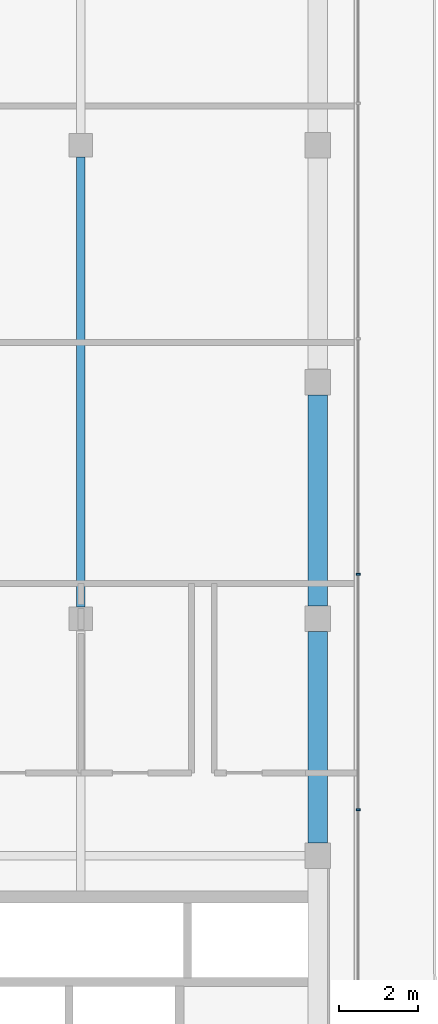
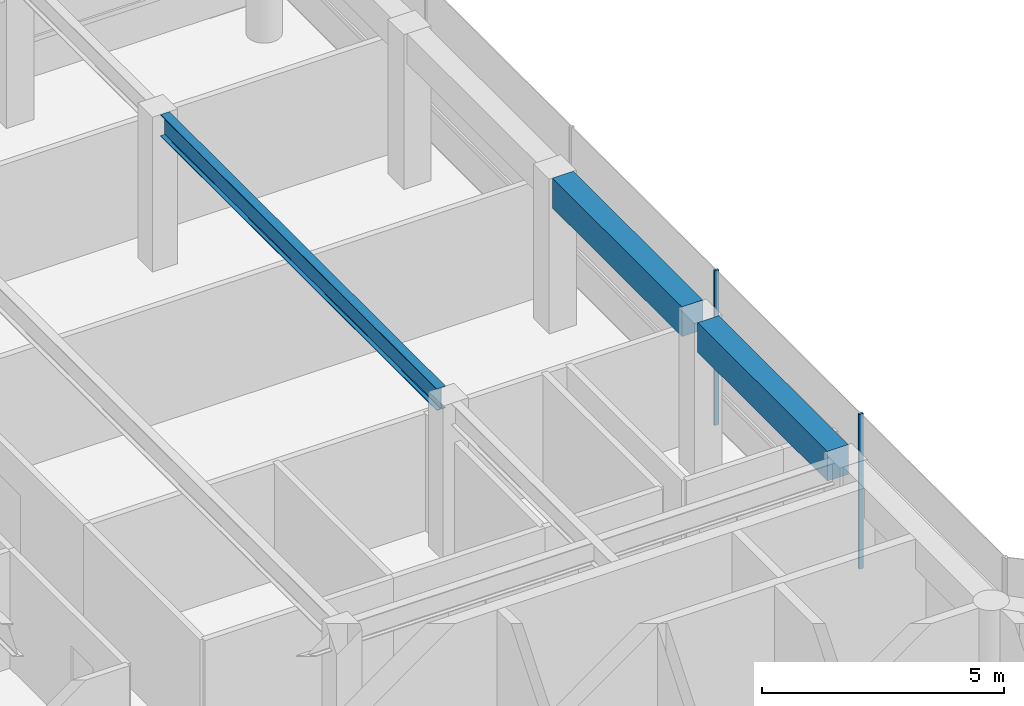
# One storey, part 10 of 22: 3 beams, 2 members, 1 element without a shape of its own.
"""IFC4 building model written with IfcOpenShell, lengths in metres."""

import ifcopenshell
import ifcopenshell.guid

model = None  # the IFC model being written
_history = None  # IfcOwnerHistory: only IFC2X3 demands one
_inside = {}  # id of a spatial element -> (the spatial element, [elements in it])
_under = {}  # id of a project, library or spatial element -> (it, [spatial elements below it])
_declared = {}  # id of a project -> (the project, [libraries it declares])
_typed = {}  # id of a type object -> (the type object, [elements of that type])
_made_of = {}  # id of a material, layer set ... -> (it, [elements and type objects made of it])


def new_model(schema):
    """Start an empty IFC model of exactly this schema.

    Asked for "IFC4X3", IfcOpenShell would pick the latest addendum, in which some entities
    have other attributes; the version numbers below select the first issue.
    IFC2X3 requires an IfcOwnerHistory on every rooted entity: one is made here for all.
    """
    global model, _history
    if schema == "IFC4X3":
        model = ifcopenshell.file(schema_version=(4, 3, 0, 0))
    else:
        model = ifcopenshell.file(schema=schema)
    _inside.clear()
    _under.clear()
    _declared.clear()
    _typed.clear()
    _made_of.clear()
    _history = None
    if model.schema == "IFC2X3":
        org = make("IfcOrganization", Name="unknown")
        user = make(
            "IfcPersonAndOrganization",
            ThePerson=make("IfcPerson", FamilyName="unknown"),
            TheOrganization=org,
        )
        app = make(
            "IfcApplication",
            ApplicationDeveloper=org,
            Version="unknown",
            ApplicationFullName="unknown",
            ApplicationIdentifier="unknown",
        )
        _history = make(
            "IfcOwnerHistory",
            OwningUser=user,
            OwningApplication=app,
            ChangeAction="ADDED",
            CreationDate=0,
        )
    return model


def make(cls, **values):
    """One entity of the class cls with the attributes given. An attribute that is None is left unset."""
    return model.create_entity(
        cls, **{name: value for name, value in values.items() if value is not None}
    )


def rooted(cls, **values):
    """An entity with a GlobalId (a new one), such as an element, a storey or a relation."""
    return make(cls, GlobalId=ifcopenshell.guid.new(), OwnerHistory=_history, **values)


def si_unit(unit_type, name, prefix=None):
    """IfcSIUnit, for example si_unit("LENGTHUNIT", "METRE", prefix="MILLI")."""
    return make("IfcSIUnit", UnitType=unit_type, Prefix=prefix, Name=name)


def assignment(units):
    """IfcUnitAssignment: the units of a project."""
    return None if units is None else make("IfcUnitAssignment", Units=units)


def point(xyz):
    """IfcCartesianPoint."""
    return None if xyz is None else make("IfcCartesianPoint", Coordinates=xyz)


def direction(xyz):
    """IfcDirection."""
    return None if xyz is None else make("IfcDirection", DirectionRatios=xyz)


def frame(location, z_axis=None, x_axis=None):
    """IfcAxis2Placement3D, a coordinate frame: its origin and axes. An axis left out is left unset."""
    return make(
        "IfcAxis2Placement3D",
        Location=point(location),
        Axis=direction(z_axis),
        RefDirection=direction(x_axis),
    )


def frame_2d(location, x_axis=None):
    """IfcAxis2Placement2D, a coordinate frame in the plane: its origin and x axis."""
    return make(
        "IfcAxis2Placement2D", Location=point(location), RefDirection=direction(x_axis)
    )


def origin():
    """The frame at (0, 0, 0) with its axes left unset."""
    return frame((0.0, 0.0, 0.0))


def origin_2d():
    """The frame at (0, 0) in the plane with its x axis left unset."""
    return frame_2d((0.0, 0.0))


def place(relative_to, where):
    """IfcLocalPlacement: puts the frame where relative to a parent placement (None: the world)."""
    return make(
        "IfcLocalPlacement", PlacementRelTo=relative_to, RelativePlacement=where
    )


def context(
    kind, dimensions, precision=None, world=None, true_north=None, identifier=None
):
    """IfcGeometricRepresentationContext, for example the 3D "Model" context."""
    return make(
        "IfcGeometricRepresentationContext",
        ContextIdentifier=identifier,
        ContextType=kind,
        CoordinateSpaceDimension=dimensions,
        Precision=precision,
        WorldCoordinateSystem=world,
        TrueNorth=true_north,
    )


def subcontext(parent, identifier, kind, view, scale=None):
    """IfcGeometricRepresentationSubContext, for example "Body" below "Model"."""
    return make(
        "IfcGeometricRepresentationSubContext",
        ContextIdentifier=identifier,
        ContextType=kind,
        ParentContext=parent,
        TargetScale=scale,
        TargetView=view,
    )


def project(units=None, contexts=None):
    """IfcProject with its units and contexts."""
    return rooted(
        "IfcProject",
        Name="project",
        RepresentationContexts=contexts,
        UnitsInContext=assignment(units),
    )


def spatial(cls, under=None, at=None, **own):
    """A site, building, storey or space (cls), placed at a placement, below another one or the project."""
    s = rooted(cls, ObjectPlacement=at, **own)
    if under is not None:
        _under.setdefault(under.id(), (under, []))[1].append(s)
    return s


def profile(cls, at=None, kind="AREA", **sizes):
    """A parametric profile (cls). Its sizes go by their IFC names, for example OverallWidth=200.0."""
    return make(cls, ProfileType=kind, Position=at, **sizes)


def rectangle(**sizes):
    """IfcRectangleProfileDef."""
    return profile("IfcRectangleProfileDef", **sizes)


def i_section(**sizes):
    """IfcIShapeProfileDef."""
    return profile("IfcIShapeProfileDef", **sizes)


def extrude(swept, where, along, depth):
    """IfcExtrudedAreaSolid: the profile swept, set in the frame where, extruded along a direction by depth."""
    return make(
        "IfcExtrudedAreaSolid",
        SweptArea=swept,
        Position=where,
        ExtrudedDirection=direction(along),
        Depth=depth,
    )


def shape(context_of_items, identifier, shape_type, items):
    """IfcShapeRepresentation: the items that make up one representation, for example the "Body"."""
    return make(
        "IfcShapeRepresentation",
        ContextOfItems=context_of_items,
        RepresentationIdentifier=identifier,
        RepresentationType=shape_type,
        Items=items,
    )


def material(Name=None, Category=None):
    """IfcMaterial."""
    return make("IfcMaterial", Name=Name, Category=Category)


def layer(
    of_material, thickness, ventilated=None, Name=None, Category=None, Priority=None
):
    """IfcMaterialLayer: one layer of a wall or slab, of a material (None: an air gap)."""
    return make(
        "IfcMaterialLayer",
        Material=of_material,
        LayerThickness=thickness,
        IsVentilated=ventilated,
        Name=Name,
        Category=Category,
        Priority=Priority,
    )


def layer_set(layers, Name=None):
    """IfcMaterialLayerSet."""
    return make("IfcMaterialLayerSet", MaterialLayers=layers, LayerSetName=Name)


def material_profile(
    of_material, cross_section, Name=None, Category=None, Priority=None
):
    """IfcMaterialProfile: a cross section and its material."""
    return make(
        "IfcMaterialProfile",
        Name=Name,
        Material=of_material,
        Profile=cross_section,
        Priority=Priority,
        Category=Category,
    )


def profile_set(profiles, Name=None, composite=None):
    """IfcMaterialProfileSet."""
    return make(
        "IfcMaterialProfileSet",
        Name=Name,
        MaterialProfiles=profiles,
        CompositeProfile=composite,
    )


def made_of(thing, what):
    """Note that an element or type object is made of a material, layer set ...; save() writes the relation."""
    if what is not None:
        _made_of.setdefault(what.id(), (what, []))[1].append(thing)
    return thing


def type_object(cls, material=None, **own):
    """A type object (cls), such as IfcWallType, which elements share."""
    return made_of(rooted(cls, **own), material)


def element(
    cls,
    number,
    at=None,
    inside=None,
    cuts=None,
    type_object=None,
    material=None,
    context=None,
    identifier="Body",
    shape_type=None,
    held_by="IfcProductDefinitionShape",
    body=None,
    shapes=None,
    **own,
):
    """One element of the class cls, such as IfcWall. Its Tag is "e" and its number.

    at: its placement. inside: the storey or other place that contains it. cuts: it is an
    opening in that element (IfcRelVoidsElement). A single representation is given by context,
    identifier, shape_type and body (its items); several are given by shapes. held_by: the class
    of the entity that holds the representations. save() writes the other relations.
    """
    e = rooted(cls, Tag="e%d" % number, ObjectPlacement=at, **own)
    if body is not None:
        shapes = [shape(context, identifier, shape_type, body)]
    if shapes is not None:
        e.Representation = make(held_by, Representations=shapes)
    if inside is not None:
        _inside.setdefault(inside.id(), (inside, []))[1].append(e)
    if cuts is not None:
        rooted(
            "IfcRelVoidsElement", RelatingBuildingElement=cuts, RelatedOpeningElement=e
        )
    if type_object is not None:
        _typed.setdefault(type_object.id(), (type_object, []))[1].append(e)
    return made_of(e, material)


def aggregate(whole, parts):
    """IfcRelAggregates: a whole, such as a stair, and the parts it consists of."""
    return rooted("IfcRelAggregates", RelatingObject=whole, RelatedObjects=parts)


def save(model, path):
    """Write the relations noted so far, then the file.

    IfcRelAggregates (storeys below a building ...), IfcRelContainedInSpatialStructure (elements
    in a storey), IfcRelDefinesByType, IfcRelAssociatesMaterial and IfcRelDeclares: one each for
    every whole, place, type object, material and project.
    """
    for whole, parts in _under.values():
        aggregate(whole, parts)
    for where, things in _inside.values():
        rooted(
            "IfcRelContainedInSpatialStructure",
            RelatedElements=things,
            RelatingStructure=where,
        )
    for kind, things in _typed.values():
        rooted("IfcRelDefinesByType", RelatedObjects=things, RelatingType=kind)
    for what, things in _made_of.values():
        rooted("IfcRelAssociatesMaterial", RelatedObjects=things, RelatingMaterial=what)
    for by, libraries in _declared.values():
        rooted("IfcRelDeclares", RelatingContext=by, RelatedDefinitions=libraries)
    model.write(path)


model = new_model("IFC4")

# Units and contexts
model_context = context("Model", 3, precision=1e-05, world=origin(), true_north=direction((0.0, 1.0)))
body_context = subcontext(model_context, "Body", "Model", "MODEL_VIEW")
ifc_project = project(units=[si_unit("LENGTHUNIT", "METRE"), si_unit("AREAUNIT", "SQUARE_METRE"), si_unit("VOLUMEUNIT", "CUBIC_METRE"), si_unit("PLANEANGLEUNIT", "RADIAN"), si_unit("MASSUNIT", "GRAM", prefix="KILO")], contexts=[model_context])

# Site, building, storey
site_placement = place(None, origin())
site = spatial("IfcSite", under=ifc_project, at=site_placement, CompositionType="ELEMENT")
building_placement = place(site_placement, origin())
building = spatial("IfcBuilding", under=site, at=building_placement, Name="Welwitschia Terrace Campus", CompositionType="ELEMENT")
storey_placement = place(building_placement, frame((0.0, 0.0, 318.800048828125)))
storey = spatial("IfcBuildingStorey", under=building, at=storey_placement, Name="L71", CompositionType="ELEMENT", Elevation=318.800048828125)

# Beam
ifc_material_1 = material(Name="Steel S355", Category="steel")
ifc_material_profile_1 = material_profile(ifc_material_1, i_section(OverallWidth=0.2099609375, OverallDepth=0.550048828125, WebThickness=0.010986328125, FlangeThickness=0.01708984375, FilletRadius=0.02392578125, at=origin_2d()))
ifc_profile_set_1 = profile_set([ifc_material_profile_1], Name="Steel S355")
beam_type_1 = type_object("IfcBeamType", Name="Interior girder IPE 550", PredefinedType="BEAM", material=ifc_profile_set_1)
beam_placement = place(storey_placement, frame((18.0, 32.300537109375, 3.625), z_axis=(0.0, 1.0, 0.0), x_axis=(-1.0, 0.0, 0.0)))
element("IfcBeam", 1, at=beam_placement, inside=storey, type_object=beam_type_1, Name="Girder GB7", PredefinedType="BEAM", context=body_context, shape_type="SweptSolid", body=[
    extrude(i_section(OverallWidth=0.2099609375, OverallDepth=0.550048828125, WebThickness=0.010986328125, FlangeThickness=0.01708984375, FilletRadius=0.02392578125, at=origin_2d()), origin(), (0.0, 0.0, 1.0), 11.39892578125),
])

# Curtain wall, members
ifc_material_2 = material(Name="Bronze anodised aluminium", Category="aluminium")
ifc_layer = layer(ifc_material_2, 0.10009765625)
ifc_layer_set = layer_set([ifc_layer], Name="Bronze anodised aluminium")
curtain_wall_type = type_object("IfcCurtainWallType", Name="Curtain wall CW5 crown 6000", PredefinedType="NOTDEFINED", material=ifc_layer_set)
curtain_wall_placement = place(storey_placement, origin())
curtain_wall = element("IfcCurtainWall", 2, at=curtain_wall_placement, inside=storey, type_object=curtain_wall_type, Name="CW L71.5.0", PredefinedType="NOTDEFINED")
ifc_material_3 = material(Name="Bronze anodised aluminium", Category="aluminium")
ifc_material_profile_2 = material_profile(ifc_material_3, rectangle(XDim=0.10009765625, YDim=0.050048828125, at=origin_2d()))
ifc_profile_set_2 = profile_set([ifc_material_profile_2], Name="Bronze anodised aluminium")
member_type = type_object("IfcMemberType", Name="Mullion 50x100", PredefinedType="MULLION", material=ifc_profile_set_2)
member_1_placement = place(storey_placement, frame((25.030029296875, 27.166748046875, 0.0), z_axis=(0.0, 0.0, 1.0), x_axis=(-1.0, 0.0, 0.0)))
member_1 = element("IfcMember", 3, at=member_1_placement, type_object=member_type, Name="Mullion L71.5.0.1", PredefinedType="MULLION", context=body_context, shape_type="SweptSolid", body=[
    extrude(rectangle(XDim=0.10009765625, YDim=0.050048828125, at=origin_2d()), origin(), (0.0, 0.0, 1.0), 3.89990234375),
])
member_2_placement = place(storey_placement, frame((25.030029296875, 33.132568359375, 0.0), z_axis=(0.0, 0.0, 1.0), x_axis=(-1.0, 0.0, 0.0)))
member_2 = element("IfcMember", 4, at=member_2_placement, type_object=member_type, Name="Mullion L71.5.0.2", PredefinedType="MULLION", context=body_context, shape_type="SweptSolid", body=[
    extrude(rectangle(XDim=0.10009765625, YDim=0.050048828125, at=origin_2d()), origin(), (0.0, 0.0, 1.0), 3.89990234375),
])
aggregate(curtain_wall, [member_1, member_2])

# Beams
ifc_material_4 = material(Name="Concrete C40/50", Category="concrete")
ifc_material_profile_3 = material_profile(ifc_material_4, rectangle(XDim=0.5, YDim=0.75, at=origin_2d()))
ifc_profile_set_3 = profile_set([ifc_material_profile_3], Name="Concrete C40/50")
beam_type_2 = type_object("IfcBeamType", Name="Ring spandrel 500x750", PredefinedType="SPANDREL", material=ifc_profile_set_3)
for number, where, z_axis, x_axis, name in (
    (5, (24.0, 26.325439453125, 3.52490234375), (0.0, 1.0, 0.0), (-1.0, 0.0, 0.0), "Spandrel SP5"),
    (6, (24.0, 32.325439453125, 3.52490234375), (0.0, 1.0, 0.0), (-1.0, 0.0, 0.0), "Spandrel SP5"),
):
    element("IfcBeam", number, at=place(storey_placement, frame(where, z_axis=z_axis, x_axis=x_axis)), inside=storey, type_object=beam_type_2, Name=name, PredefinedType="SPANDREL", context=body_context, shape_type="SweptSolid", body=[
        extrude(rectangle(XDim=0.5, YDim=0.75, at=origin_2d()), origin(), (0.0, 0.0, 1.0), 5.34912109375),
    ])

save(model, "model.ifc")
